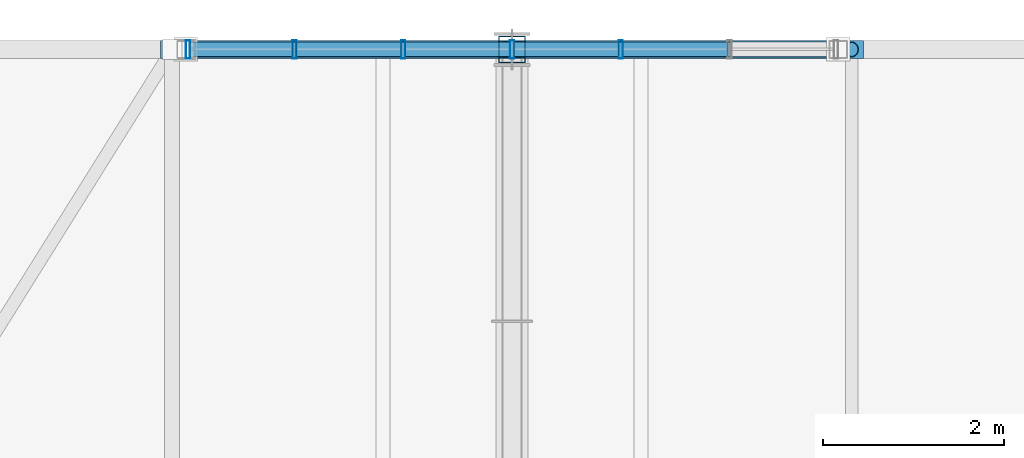
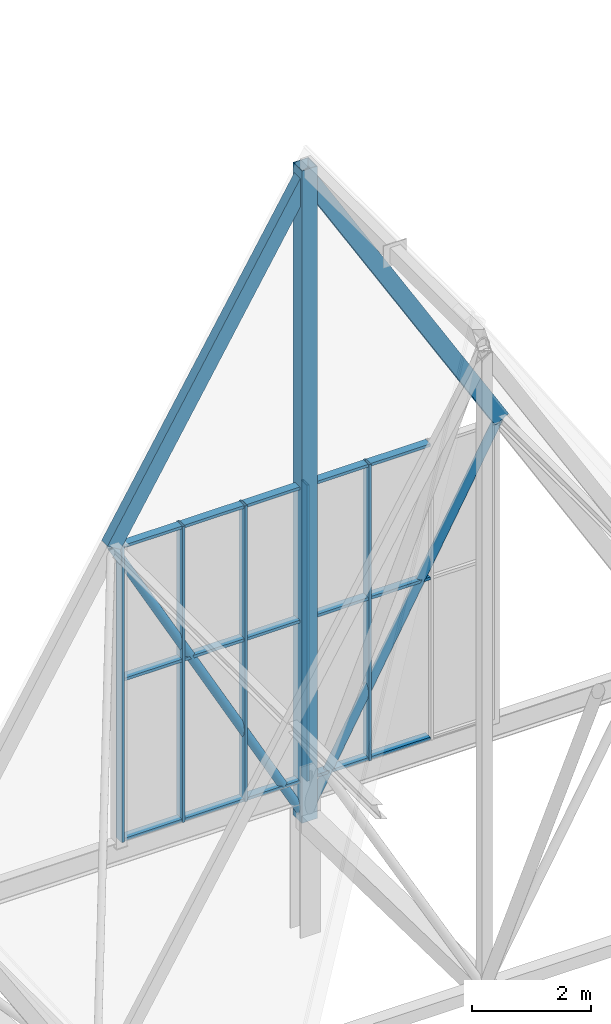
# One storey, part 115 of 324: 25 members, 1 element without a shape of its own.
"""IFC4 building model written with IfcOpenShell, lengths in metres."""

from ifc_helpers import new_model, si_unit, direction, frame, origin, origin_2d, place, context, subcontext, project, spatial, hollow_rectangle, hollow_circle, extrude, material, layer, layer_set, material_profile, profile_set, type_object, element, aggregate, save


model = new_model("IFC4")

# Units and contexts
model_context = context("Model", 3, precision=1e-05, world=origin(), true_north=direction((0.0, 1.0)))
body_context = subcontext(model_context, "Body", "Model", "MODEL_VIEW")
ifc_project = project(units=[si_unit("LENGTHUNIT", "METRE"), si_unit("AREAUNIT", "SQUARE_METRE"), si_unit("VOLUMEUNIT", "CUBIC_METRE"), si_unit("PLANEANGLEUNIT", "RADIAN"), si_unit("MASSUNIT", "GRAM", prefix="KILO")], contexts=[model_context])

# Site, building, storey
site_placement = place(None, origin())
site = spatial("IfcSite", under=ifc_project, at=site_placement, CompositionType="ELEMENT")
building_placement = place(site_placement, origin())
building = spatial("IfcBuilding", under=site, at=building_placement, Name="Solvenia Promenade Tram Depot", CompositionType="ELEMENT")
storey_placement = place(building_placement, frame((0.0, 0.0, 4.5)))
storey = spatial("IfcBuildingStorey", under=building, at=storey_placement, Name="L01", CompositionType="ELEMENT", Elevation=4.5)

# Curtain wall, members
ifc_material_1 = material(Name="Anodized aluminium AW-6063 T6", Category="aluminium")
ifc_layer = layer(ifc_material_1, 0.14990234375, Name="Anodized aluminium AW-6063 T6", Category="aluminium")
ifc_layer_set = layer_set([ifc_layer], Name="Anodized aluminium AW-6063 T6")
curtain_wall_type = type_object("IfcCurtainWallType", Name="CW-Gable-1200", PredefinedType="NOTDEFINED", material=ifc_layer_set)
curtain_wall_placement = place(storey_placement, origin())
curtain_wall = element("IfcCurtainWall", 1, at=curtain_wall_placement, inside=storey, type_object=curtain_wall_type, Name="North Zigzag Gable 03 Peak Glazing", PredefinedType="NOTDEFINED")
ifc_material_profile_1 = material_profile(ifc_material_1, hollow_rectangle(XDim=0.199951171875, YDim=0.048095703125, WallThickness=0.00390625, at=origin_2d()), Name="ALU-M3", Category="aluminium")
ifc_profile_set_1 = profile_set([ifc_material_profile_1], Name="Anodized aluminium AW-6063 T6")
member_type_1 = type_object("IfcMemberType", Name="CWM-Mullion-3", PredefinedType="MULLION", material=ifc_profile_set_1)
member_1_placement = place(storey_placement, frame((33.924072265625, 126.0, 3.10009765625), z_axis=(0.0, 0.0, 1.0), x_axis=(0.0, 1.0, 0.0)))
member_1 = element("IfcMember", 2, at=member_1_placement, type_object=member_type_1, Name="CW-3 mullion 1", PredefinedType="MULLION", context=body_context, shape_type="SweptSolid", body=[
    extrude(hollow_rectangle(XDim=0.199951171875, YDim=0.048095703125, WallThickness=0.00390625, at=origin_2d()), origin(), (0.0, 0.0, 1.0), 6.0498046875),
])
member_2_placement = place(storey_placement, frame((35.10009765625, 126.0, 3.10009765625), z_axis=(0.0, 0.0, 1.0), x_axis=(0.0, 1.0, 0.0)))
member_2 = element("IfcMember", 3, at=member_2_placement, type_object=member_type_1, Name="CW-3 mullion 2", PredefinedType="MULLION", context=body_context, shape_type="SweptSolid", body=[
    extrude(hollow_rectangle(XDim=0.199951171875, YDim=0.048095703125, WallThickness=0.00390625, at=origin_2d()), origin(), (0.0, 0.0, 1.0), 6.0498046875),
])
member_3_placement = place(storey_placement, frame((36.300048828125, 126.0, 3.10009765625), z_axis=(0.0, 0.0, 1.0), x_axis=(0.0, 1.0, 0.0)))
member_3 = element("IfcMember", 4, at=member_3_placement, type_object=member_type_1, Name="CW-3 mullion 3", PredefinedType="MULLION", context=body_context, shape_type="SweptSolid", body=[
    extrude(hollow_rectangle(XDim=0.199951171875, YDim=0.048095703125, WallThickness=0.00390625, at=origin_2d()), origin(), (0.0, 0.0, 1.0), 6.0498046875),
])
member_4_placement = place(storey_placement, frame((37.5, 126.0, 3.10009765625), z_axis=(0.0, 0.0, 1.0), x_axis=(0.0, 1.0, 0.0)))
member_4 = element("IfcMember", 5, at=member_4_placement, type_object=member_type_1, Name="CW-3 mullion 4", PredefinedType="MULLION", context=body_context, shape_type="SweptSolid", body=[
    extrude(hollow_rectangle(XDim=0.199951171875, YDim=0.048095703125, WallThickness=0.00390625, at=origin_2d()), origin(), (0.0, 0.0, 1.0), 6.0498046875),
])
member_5_placement = place(storey_placement, frame((38.699951171875, 126.0, 3.10009765625), z_axis=(0.0, 0.0, 1.0), x_axis=(0.0, 1.0, 0.0)))
member_5 = element("IfcMember", 6, at=member_5_placement, type_object=member_type_1, Name="CW-3 mullion 5", PredefinedType="MULLION", context=body_context, shape_type="SweptSolid", body=[
    extrude(hollow_rectangle(XDim=0.199951171875, YDim=0.048095703125, WallThickness=0.00390625, at=origin_2d()), origin(), (0.0, 0.0, 1.0), 6.0498046875),
])
ifc_material_profile_2 = material_profile(ifc_material_1, hollow_rectangle(XDim=0.159912109375, YDim=0.05810546875, WallThickness=0.00390625, at=origin_2d()), Name="ALU-T3", Category="aluminium")
ifc_profile_set_2 = profile_set([ifc_material_profile_2], Name="Anodized aluminium AW-6063 T6")
member_type_2 = type_object("IfcMemberType", Name="CWT-Transom-3", PredefinedType="USERDEFINED", material=ifc_profile_set_2)
member_6_placement = place(storey_placement, frame((33.947998046875, 126.0, 3.12890625), z_axis=(1.0, 0.0, 0.0), x_axis=(0.0, 1.0, 0.0)))
member_6 = element("IfcMember", 7, at=member_6_placement, type_object=member_type_2, Name="CW-3 transom 1.1", ObjectType="TRANSOM", PredefinedType="USERDEFINED", context=body_context, shape_type="SweptSolid", body=[
    extrude(hollow_rectangle(XDim=0.159912109375, YDim=0.05810546875, WallThickness=0.00390625, at=origin_2d()), origin(), (0.0, 0.0, 1.0), 1.1279296875),
])
member_7_placement = place(storey_placement, frame((33.947998046875, 126.0, 6.39990234375), z_axis=(1.0, 0.0, 0.0), x_axis=(0.0, 1.0, 0.0)))
member_7 = element("IfcMember", 8, at=member_7_placement, type_object=member_type_2, Name="CW-3 transom 1.2", ObjectType="TRANSOM", PredefinedType="USERDEFINED", context=body_context, shape_type="SweptSolid", body=[
    extrude(hollow_rectangle(XDim=0.159912109375, YDim=0.05810546875, WallThickness=0.00390625, at=origin_2d()), origin(), (0.0, 0.0, 1.0), 1.1279296875),
])
member_8_placement = place(storey_placement, frame((33.947998046875, 126.0, 9.12109375), z_axis=(1.0, 0.0, 0.0), x_axis=(0.0, 1.0, 0.0)))
member_8 = element("IfcMember", 9, at=member_8_placement, type_object=member_type_2, Name="CW-3 transom 1.3", ObjectType="TRANSOM", PredefinedType="USERDEFINED", context=body_context, shape_type="SweptSolid", body=[
    extrude(hollow_rectangle(XDim=0.159912109375, YDim=0.05810546875, WallThickness=0.00390625, at=origin_2d()), origin(), (0.0, 0.0, 1.0), 1.1279296875),
])
member_9_placement = place(storey_placement, frame((35.1240234375, 126.0, 3.12890625), z_axis=(1.0, 0.0, 0.0), x_axis=(0.0, 1.0, 0.0)))
member_9 = element("IfcMember", 10, at=member_9_placement, type_object=member_type_2, Name="CW-3 transom 2.1", ObjectType="TRANSOM", PredefinedType="USERDEFINED", context=body_context, shape_type="SweptSolid", body=[
    extrude(hollow_rectangle(XDim=0.159912109375, YDim=0.05810546875, WallThickness=0.00390625, at=origin_2d()), origin(), (0.0, 0.0, 1.0), 1.15185546875),
])
member_10_placement = place(storey_placement, frame((35.1240234375, 126.0, 6.39990234375), z_axis=(1.0, 0.0, 0.0), x_axis=(0.0, 1.0, 0.0)))
member_10 = element("IfcMember", 11, at=member_10_placement, type_object=member_type_2, Name="CW-3 transom 2.2", ObjectType="TRANSOM", PredefinedType="USERDEFINED", context=body_context, shape_type="SweptSolid", body=[
    extrude(hollow_rectangle(XDim=0.159912109375, YDim=0.05810546875, WallThickness=0.00390625, at=origin_2d()), origin(), (0.0, 0.0, 1.0), 1.15185546875),
])
member_11_placement = place(storey_placement, frame((35.1240234375, 126.0, 9.12109375), z_axis=(1.0, 0.0, 0.0), x_axis=(0.0, 1.0, 0.0)))
member_11 = element("IfcMember", 12, at=member_11_placement, type_object=member_type_2, Name="CW-3 transom 2.3", ObjectType="TRANSOM", PredefinedType="USERDEFINED", context=body_context, shape_type="SweptSolid", body=[
    extrude(hollow_rectangle(XDim=0.159912109375, YDim=0.05810546875, WallThickness=0.00390625, at=origin_2d()), origin(), (0.0, 0.0, 1.0), 1.15185546875),
])
member_12_placement = place(storey_placement, frame((36.323974609375, 126.0, 3.12890625), z_axis=(1.0, 0.0, 0.0), x_axis=(0.0, 1.0, 0.0)))
member_12 = element("IfcMember", 13, at=member_12_placement, type_object=member_type_2, Name="CW-3 transom 3.1", ObjectType="TRANSOM", PredefinedType="USERDEFINED", context=body_context, shape_type="SweptSolid", body=[
    extrude(hollow_rectangle(XDim=0.159912109375, YDim=0.05810546875, WallThickness=0.00390625, at=origin_2d()), origin(), (0.0, 0.0, 1.0), 1.152099609375),
])
member_13_placement = place(storey_placement, frame((36.323974609375, 126.0, 6.39990234375), z_axis=(1.0, 0.0, 0.0), x_axis=(0.0, 1.0, 0.0)))
member_13 = element("IfcMember", 14, at=member_13_placement, type_object=member_type_2, Name="CW-3 transom 3.2", ObjectType="TRANSOM", PredefinedType="USERDEFINED", context=body_context, shape_type="SweptSolid", body=[
    extrude(hollow_rectangle(XDim=0.159912109375, YDim=0.05810546875, WallThickness=0.00390625, at=origin_2d()), origin(), (0.0, 0.0, 1.0), 1.152099609375),
])
member_14_placement = place(storey_placement, frame((36.323974609375, 126.0, 9.12109375), z_axis=(1.0, 0.0, 0.0), x_axis=(0.0, 1.0, 0.0)))
member_14 = element("IfcMember", 15, at=member_14_placement, type_object=member_type_2, Name="CW-3 transom 3.3", ObjectType="TRANSOM", PredefinedType="USERDEFINED", context=body_context, shape_type="SweptSolid", body=[
    extrude(hollow_rectangle(XDim=0.159912109375, YDim=0.05810546875, WallThickness=0.00390625, at=origin_2d()), origin(), (0.0, 0.0, 1.0), 1.152099609375),
])
member_15_placement = place(storey_placement, frame((37.52392578125, 126.0, 3.12890625), z_axis=(1.0, 0.0, 0.0), x_axis=(0.0, 1.0, 0.0)))
member_15 = element("IfcMember", 16, at=member_15_placement, type_object=member_type_2, Name="CW-3 transom 4.1", ObjectType="TRANSOM", PredefinedType="USERDEFINED", context=body_context, shape_type="SweptSolid", body=[
    extrude(hollow_rectangle(XDim=0.159912109375, YDim=0.05810546875, WallThickness=0.00390625, at=origin_2d()), origin(), (0.0, 0.0, 1.0), 1.152099609375),
])
member_16_placement = place(storey_placement, frame((37.52392578125, 126.0, 6.39990234375), z_axis=(1.0, 0.0, 0.0), x_axis=(0.0, 1.0, 0.0)))
member_16 = element("IfcMember", 17, at=member_16_placement, type_object=member_type_2, Name="CW-3 transom 4.2", ObjectType="TRANSOM", PredefinedType="USERDEFINED", context=body_context, shape_type="SweptSolid", body=[
    extrude(hollow_rectangle(XDim=0.159912109375, YDim=0.05810546875, WallThickness=0.00390625, at=origin_2d()), origin(), (0.0, 0.0, 1.0), 1.152099609375),
])
member_17_placement = place(storey_placement, frame((37.52392578125, 126.0, 9.12109375), z_axis=(1.0, 0.0, 0.0), x_axis=(0.0, 1.0, 0.0)))
member_17 = element("IfcMember", 18, at=member_17_placement, type_object=member_type_2, Name="CW-3 transom 4.3", ObjectType="TRANSOM", PredefinedType="USERDEFINED", context=body_context, shape_type="SweptSolid", body=[
    extrude(hollow_rectangle(XDim=0.159912109375, YDim=0.05810546875, WallThickness=0.00390625, at=origin_2d()), origin(), (0.0, 0.0, 1.0), 1.152099609375),
])
member_18_placement = place(storey_placement, frame((38.72412109375, 126.0, 3.12890625), z_axis=(1.0, 0.0, 0.0), x_axis=(0.0, 1.0, 0.0)))
member_18 = element("IfcMember", 19, at=member_18_placement, type_object=member_type_2, Name="CW-3 transom 5.1", ObjectType="TRANSOM", PredefinedType="USERDEFINED", context=body_context, shape_type="SweptSolid", body=[
    extrude(hollow_rectangle(XDim=0.159912109375, YDim=0.05810546875, WallThickness=0.00390625, at=origin_2d()), origin(), (0.0, 0.0, 1.0), 1.15185546875),
])
member_19_placement = place(storey_placement, frame((38.72412109375, 126.0, 6.39990234375), z_axis=(1.0, 0.0, 0.0), x_axis=(0.0, 1.0, 0.0)))
member_19 = element("IfcMember", 20, at=member_19_placement, type_object=member_type_2, Name="CW-3 transom 5.2", ObjectType="TRANSOM", PredefinedType="USERDEFINED", context=body_context, shape_type="SweptSolid", body=[
    extrude(hollow_rectangle(XDim=0.159912109375, YDim=0.05810546875, WallThickness=0.00390625, at=origin_2d()), origin(), (0.0, 0.0, 1.0), 1.15185546875),
])
member_20_placement = place(storey_placement, frame((38.72412109375, 126.0, 9.12109375), z_axis=(1.0, 0.0, 0.0), x_axis=(0.0, 1.0, 0.0)))
member_20 = element("IfcMember", 21, at=member_20_placement, type_object=member_type_2, Name="CW-3 transom 5.3", ObjectType="TRANSOM", PredefinedType="USERDEFINED", context=body_context, shape_type="SweptSolid", body=[
    extrude(hollow_rectangle(XDim=0.159912109375, YDim=0.05810546875, WallThickness=0.00390625, at=origin_2d()), origin(), (0.0, 0.0, 1.0), 1.15185546875),
])
aggregate(curtain_wall, [member_1, member_2, member_3, member_4, member_5, member_6, member_7, member_8, member_9, member_10, member_11, member_12, member_13, member_14, member_15, member_16, member_17, member_18, member_19, member_20])

# Members
ifc_material_2 = material(Name="Structural steel ASTM A500 Gr. C", Category="steel")
ifc_material_profile_3 = material_profile(ifc_material_2, hollow_rectangle(XDim=0.199951171875, YDim=0.300048828125, WallThickness=0.012451171875, at=origin_2d()), Name="HSS300x200x12.5", Category="steel")
ifc_profile_set_3 = profile_set([ifc_material_profile_3], Name="Structural steel ASTM A500 Gr. C")
member_type_3 = type_object("IfcMemberType", Name="Chord-HSS300x200x12", PredefinedType="CHORD", material=ifc_profile_set_3)
for number, where, z_axis, x_axis, name in (
    (22, (33.75, 126.0, 9.1787109375), (0.514584433357, 0.0, 0.857439712718), (0.0, 1.0, 0.0), "Zigzag Gable 03 West Upper Rafter"),
    (23, (37.5, 126.0, 15.42724609375), (0.514584433357, 0.0, -0.857439712718), (0.0, 1.0, 0.0), "Zigzag Gable 03 East Upper Rafter"),
):
    element("IfcMember", number, at=place(storey_placement, frame(where, z_axis=z_axis, x_axis=x_axis)), inside=storey, type_object=member_type_3, Name=name, PredefinedType="CHORD", context=body_context, shape_type="SweptSolid", body=[
        extrude(hollow_rectangle(XDim=0.199951171875, YDim=0.300048828125, WallThickness=0.012451171875, at=origin_2d()), origin(), (0.0, 0.0, 1.0), 7.287353515625),
    ])
ifc_material_profile_4 = material_profile(ifc_material_2, hollow_rectangle(XDim=0.300048828125, YDim=0.300048828125, WallThickness=0.012451171875, at=origin_2d()), Name="HSS300x300x12.5", Category="steel")
ifc_profile_set_4 = profile_set([ifc_material_profile_4], Name="Structural steel ASTM A500 Gr. C")
member_type_4 = type_object("IfcMemberType", Name="Chord-HSS300x300x12", PredefinedType="CHORD", material=ifc_profile_set_4)
member_21_placement = place(storey_placement, frame((37.5, 126.0, 2.320068359375), z_axis=(0.0, 0.0, 1.0), x_axis=(1.0, 0.0, 0.0)))
element("IfcMember", 24, at=member_21_placement, inside=storey, type_object=member_type_4, Name="Arched Truss T06 N End Post", PredefinedType="CHORD", context=body_context, shape_type="SweptSolid", body=[
    extrude(hollow_rectangle(XDim=0.300048828125, YDim=0.300048828125, WallThickness=0.012451171875, at=origin_2d()), origin(), (0.0, 0.0, 1.0), 13.326904296875),
])
ifc_material_profile_5 = material_profile(ifc_material_2, hollow_circle(Radius=0.084228515625, WallThickness=0.008056640625, at=origin_2d()), Name="CHS168.3x8", Category="steel")
ifc_profile_set_5 = profile_set([ifc_material_profile_5], Name="Structural steel ASTM A500 Gr. C")
member_type_5 = type_object("IfcMemberType", Name="WebDiag-CHS168x8", PredefinedType="BRACE", material=ifc_profile_set_5)
for number, where, z_axis, x_axis, name in (
    (25, (37.5, 126.0, 2.320068359375), (-0.479731573224, 0.0, 0.877415305116), (0.0, -1.0, 0.0), "Zigzag Gable 03 West Knee Strut"),
    (26, (37.5, 126.0, 2.320068359375), (0.479731573224, 0.0, 0.877415305116), (0.0, 1.0, 0.0), "Zigzag Gable 03 East Knee Strut"),
):
    element("IfcMember", number, at=place(storey_placement, frame(where, z_axis=z_axis, x_axis=x_axis)), inside=storey, type_object=member_type_5, Name=name, PredefinedType="BRACE", context=body_context, shape_type="SweptSolid", body=[
        extrude(hollow_circle(Radius=0.084228515625, WallThickness=0.008056640625, at=origin_2d()), origin(), (0.0, 0.0, 1.0), 7.81689453125),
    ])

save(model, "model.ifc")
